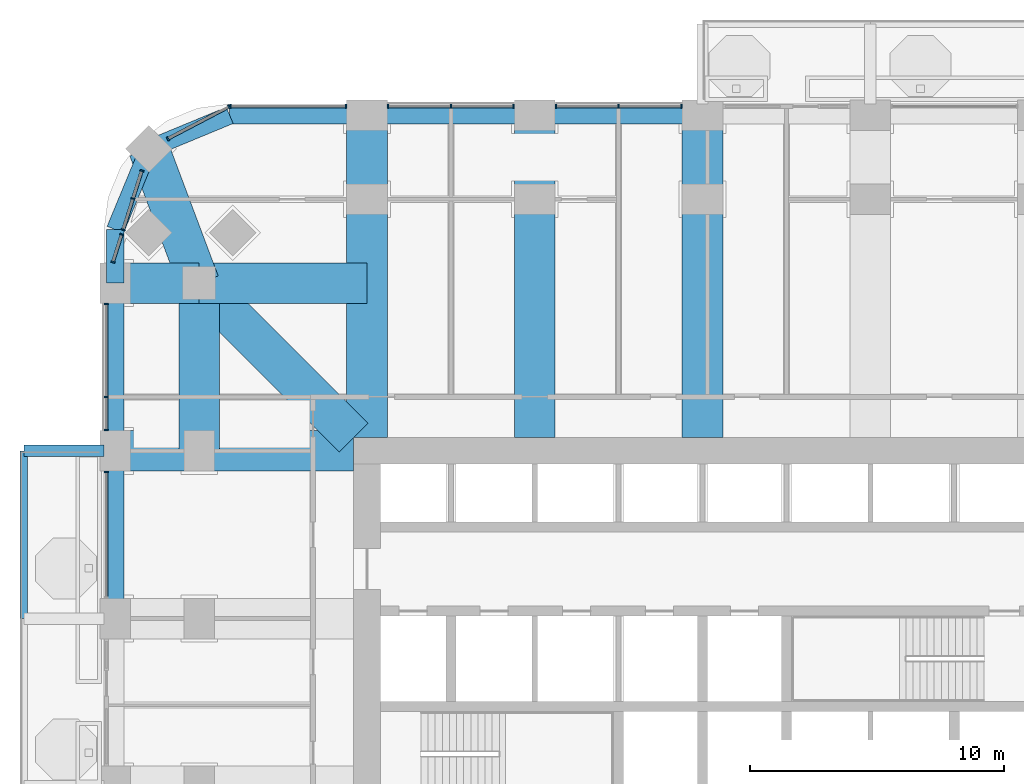
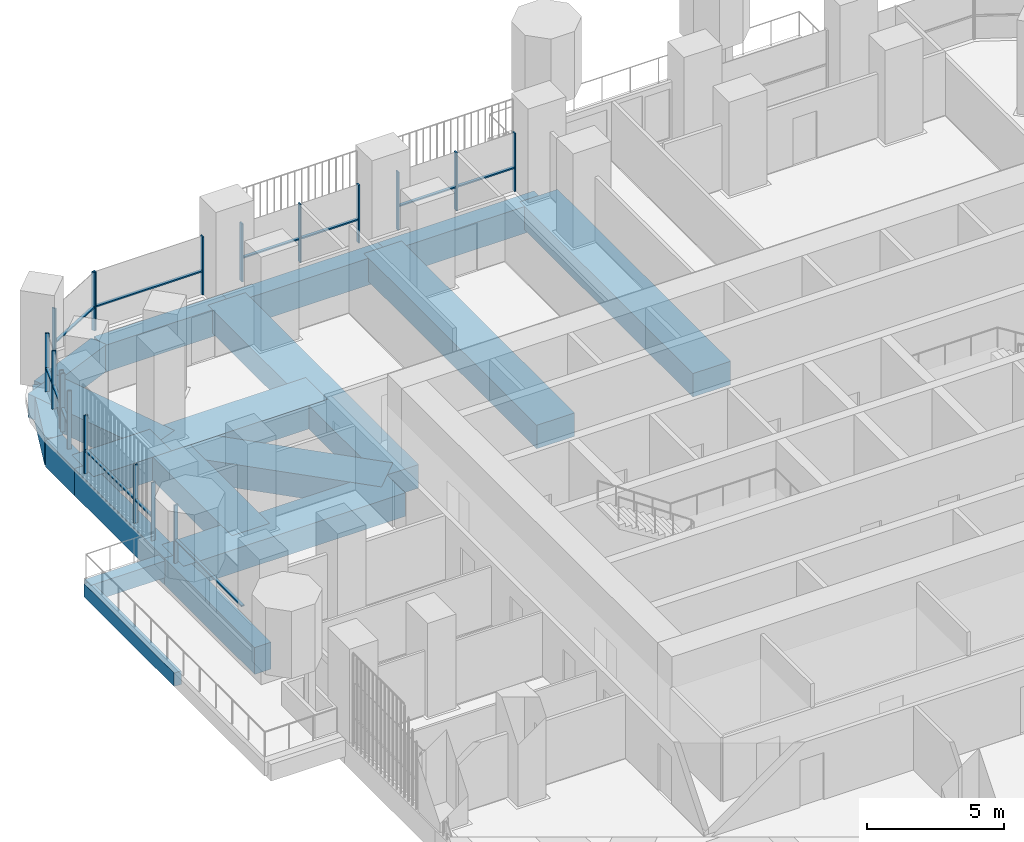
# One storey, part 6 of 22: 31 members, 19 beams, 8 elements without a shape of their own.
"""IFC4 building model written with IfcOpenShell, lengths in metres."""

from ifc_helpers import new_model, si_unit, direction, frame, origin, origin_2d, place, context, subcontext, project, spatial, rectangle, extrude, material, material_profile, profile_set, type_object, element, aggregate, save


model = new_model("IFC4")

# Units and contexts
model_context = context("Model", 3, precision=1e-05, world=origin(), true_north=direction((0.0, 1.0)))
body_context = subcontext(model_context, "Body", "Model", "MODEL_VIEW")
ifc_project = project(units=[si_unit("LENGTHUNIT", "METRE"), si_unit("AREAUNIT", "SQUARE_METRE"), si_unit("VOLUMEUNIT", "CUBIC_METRE"), si_unit("PLANEANGLEUNIT", "RADIAN"), si_unit("MASSUNIT", "GRAM", prefix="KILO")], contexts=[model_context])

# Site, building, storey
site_placement = place(None, origin())
site = spatial("IfcSite", under=ifc_project, at=site_placement, CompositionType="ELEMENT")
building_placement = place(site_placement, origin())
building = spatial("IfcBuilding", under=site, at=building_placement, Name="Cobogo Forest Laboratory Tower", CompositionType="ELEMENT")
storey_placement = place(building_placement, frame((0.0, 0.0, 136.800048828125)))
storey = spatial("IfcBuildingStorey", under=building, at=storey_placement, Name="L31", CompositionType="ELEMENT", Elevation=136.800048828125)

# Beams
ifc_material_1 = material(Name="Concrete HA-40 (C40/50)", Category="concrete")
ifc_material_profile_1 = material_profile(ifc_material_1, rectangle(XDim=0.449951171875, YDim=0.75, at=origin_2d()), Name="RC 450x750")
ifc_profile_set_1 = profile_set([ifc_material_profile_1], Name="Concrete HA-40 (C40/50)")
beam_type_1 = type_object("IfcBeamType", Name="Balcony cantilever beam 450x750", PredefinedType="BEAM", material=ifc_profile_set_1)
beam_1_placement = place(storey_placement, frame((2.85009765625, 33.0, -0.625), z_axis=(-1.0, 0.0, 0.0), x_axis=(0.0, -1.0, 0.0)))
element("IfcBeam", 1, at=beam_1_placement, inside=storey, type_object=beam_type_1, Name="CB1 BAL-W1-C3 L31", PredefinedType="BEAM", context=body_context, shape_type="SweptSolid", body=[
    extrude(rectangle(XDim=0.449951171875, YDim=0.75, at=origin_2d()), origin(), (0.0, 0.0, 1.0), 3.150146484375),
])
ifc_material_profile_2 = material_profile(ifc_material_1, rectangle(XDim=0.300048828125, YDim=0.60009765625, at=origin_2d()), Name="RC 300x600")
ifc_profile_set_2 = profile_set([ifc_material_profile_2], Name="Concrete HA-40 (C40/50)")
beam_type_2 = type_object("IfcBeamType", Name="Balcony edge beam 300x600", PredefinedType="BEAM", material=ifc_profile_set_2)
beam_2_placement = place(storey_placement, frame((-0.300048828125, 26.39990234375, -0.550048828125), z_axis=(0.0, 1.0, 0.0), x_axis=(-1.0, 0.0, 0.0)))
element("IfcBeam", 2, at=beam_2_placement, inside=storey, type_object=beam_type_2, Name="BB1 BAL-W1-T2 L31", PredefinedType="BEAM", context=body_context, shape_type="SweptSolid", body=[
    extrude(rectangle(XDim=0.300048828125, YDim=0.60009765625, at=origin_2d()), origin(), (0.0, 0.0, 1.0), 6.60009765625),
])
ifc_material_2 = material(Name="Concrete HA-50 (C50/60)", Category="concrete")
ifc_material_profile_3 = material_profile(ifc_material_2, rectangle(XDim=1.60009765625, YDim=1.050048828125, at=origin_2d()), Name="RC 1600x1050")
ifc_profile_set_3 = profile_set([ifc_material_profile_3], Name="Concrete HA-50 (C50/60)")
beam_type_3 = type_object("IfcBeamType", Name="Laboratory floor wide beam 1600x1050", PredefinedType="BEAM", material=ifc_profile_set_3)
for number, where, z_axis, x_axis, name in (
    (3, (13.199951171875, 33.52490234375, -0.824951171875), (0.0, 1.0, 0.0), (-1.0, 0.0, 0.0), "RB8 R-3-N L31"),
    (4, (19.800048828125, 33.52490234375, -0.824951171875), (0.0, 1.0, 0.0), (-1.0, 0.0, 0.0), "RB8 R-4-N L31"),
    (5, (26.39990234375, 33.52490234375, -0.824951171875), (0.0, 1.0, 0.0), (-1.0, 0.0, 0.0), "RB8 R-5-N L31"),
):
    element("IfcBeam", number, at=place(storey_placement, frame(where, z_axis=z_axis, x_axis=x_axis)), inside=storey, type_object=beam_type_3, Name=name, PredefinedType="BEAM", context=body_context, shape_type="SweptSolid", body=[
        extrude(rectangle(XDim=1.60009765625, YDim=1.050048828125, at=origin_2d()), origin(), (0.0, 0.0, 1.0), 12.675048828125),
    ])
beam_3_placement = place(storey_placement, frame((12.675048828125, 33.0, -0.824951171875), z_axis=(-1.0, 0.0, 0.0), x_axis=(0.0, -1.0, 0.0)))
element("IfcBeam", 6, at=beam_3_placement, inside=storey, type_object=beam_type_3, Name="RB8 R-F-W L31", PredefinedType="BEAM", context=body_context, shape_type="SweptSolid", body=[
    extrude(rectangle(XDim=1.60009765625, YDim=1.050048828125, at=origin_2d()), origin(), (0.0, 0.0, 1.0), 9.375),
])
beam_4_placement = place(storey_placement, frame((6.60009765625, 39.60009765625, -0.824951171875), z_axis=(0.0, -1.0, 0.0), x_axis=(1.0, 0.0, 0.0)))
element("IfcBeam", 7, at=beam_4_placement, inside=storey, type_object=beam_type_3, Name="RB8 G-NW-XC L31", PredefinedType="BEAM", context=body_context, shape_type="SweptSolid", body=[
    extrude(rectangle(XDim=1.60009765625, YDim=1.050048828125, at=origin_2d()), origin(), (0.0, 0.0, 1.0), 6.60009765625),
])
beam_5_placement = place(storey_placement, frame((3.300048828125, 39.60009765625, -0.824951171875), z_axis=(1.0, 0.0, 0.0), x_axis=(0.0, 1.0, 0.0)))
element("IfcBeam", 8, at=beam_5_placement, inside=storey, type_object=beam_type_3, Name="RB8 G-NW-YF L31", PredefinedType="BEAM", context=body_context, shape_type="SweptSolid", body=[
    extrude(rectangle(XDim=1.60009765625, YDim=1.050048828125, at=origin_2d()), origin(), (0.0, 0.0, 1.0), 3.300048828125),
])
beam_6_placement = place(storey_placement, frame((6.60009765625, 39.60009765625, -0.824951171875), z_axis=(1.0, 0.0, 0.0), x_axis=(0.0, 1.0, 0.0)))
element("IfcBeam", 9, at=beam_6_placement, inside=storey, type_object=beam_type_3, Name="RB8 G-NW-YC L31", PredefinedType="BEAM", context=body_context, shape_type="SweptSolid", body=[
    extrude(rectangle(XDim=1.60009765625, YDim=1.050048828125, at=origin_2d()), origin(), (0.0, 0.0, 1.0), 6.599853515625),
])
beam_7_placement = place(storey_placement, frame((4.617919921875, 44.882080078125, -0.824951171875), z_axis=(0.351346325373, -0.936245565889, 0.0), x_axis=(0.936245565889, 0.351346325373, 0.0)))
element("IfcBeam", 10, at=beam_7_placement, inside=storey, type_object=beam_type_3, Name="RB8 G-NW-D1 L31", PredefinedType="BEAM", context=body_context, shape_type="SweptSolid", body=[
    extrude(rectangle(XDim=1.60009765625, YDim=1.050048828125, at=origin_2d()), origin(), (0.0, 0.0, 1.0), 5.6416015625),
])
beam_8_placement = place(storey_placement, frame((6.60009765625, 39.60009765625, -0.824951171875), z_axis=(0.707092572697, -0.70712098939, 0.0), x_axis=(0.70712098939, 0.707092572697, 0.0)))
element("IfcBeam", 11, at=beam_8_placement, inside=storey, type_object=beam_type_3, Name="RB8 G-NW-D2 L31", PredefinedType="BEAM", context=body_context, shape_type="SweptSolid", body=[
    extrude(rectangle(XDim=1.60009765625, YDim=1.050048828125, at=origin_2d()), origin(), (0.0, 0.0, 1.0), 8.591552734375),
])

# Curtain wall, members
ifc_material_3 = material(Name="Aluminium curtain wall", Category="aluminium")
curtain_wall_type = type_object("IfcCurtainWallType", Name="CW-1 unitised curtain wall, clear glazing, laboratory floors zones A and B", PredefinedType="USERDEFINED", material=ifc_material_3)
curtain_wall_1_placement = place(storey_placement, origin())
curtain_wall_1 = element("IfcCurtainWall", 12, at=curtain_wall_1_placement, inside=storey, type_object=curtain_wall_type, Name="Curtain wall 21 L31", ObjectType="UNITISED CURTAIN WALL", PredefinedType="USERDEFINED")
ifc_material_4 = material(Name="Aluminium mullion", Category="aluminium")
ifc_material_profile_4 = material_profile(ifc_material_4, rectangle(XDim=0.06005859375, YDim=0.159912109375, at=origin_2d()), Name="AL 60x160")
ifc_profile_set_4 = profile_set([ifc_material_profile_4], Name="Aluminium mullion")
member_type_1 = type_object("IfcMemberType", Name="MU-1 aluminium mullion 60x160", PredefinedType="MULLION", material=ifc_profile_set_4)
member_1_placement = place(storey_placement, frame((25.570068359375, 46.550048828125, 0.0), z_axis=(0.0, 0.0, 1.0), x_axis=(-1.0, 0.0, 0.0)))
member_1 = element("IfcMember", 13, at=member_1_placement, type_object=member_type_1, Name="CW-1 mullion 1", PredefinedType="MULLION", context=body_context, shape_type="SweptSolid", body=[
    extrude(rectangle(XDim=0.06005859375, YDim=0.159912109375, at=origin_2d()), origin(), (0.0, 0.0, 1.0), 2.599853515625),
])
member_2_placement = place(storey_placement, frame((23.10009765625, 46.550048828125, 0.0), z_axis=(0.0, 0.0, 1.0), x_axis=(-1.0, 0.0, 0.0)))
member_2 = element("IfcMember", 14, at=member_2_placement, type_object=member_type_1, Name="CW-1 mullion 2", PredefinedType="MULLION", context=body_context, shape_type="SweptSolid", body=[
    extrude(rectangle(XDim=0.06005859375, YDim=0.159912109375, at=origin_2d()), origin(), (0.0, 0.0, 1.0), 2.599853515625),
])
member_3_placement = place(storey_placement, frame((20.6298828125, 46.550048828125, 0.0), z_axis=(0.0, 0.0, 1.0), x_axis=(-1.0, 0.0, 0.0)))
member_3 = element("IfcMember", 15, at=member_3_placement, type_object=member_type_1, Name="CW-1 mullion 3", PredefinedType="MULLION", context=body_context, shape_type="SweptSolid", body=[
    extrude(rectangle(XDim=0.06005859375, YDim=0.159912109375, at=origin_2d()), origin(), (0.0, 0.0, 1.0), 2.599853515625),
])

curtain_wall_2_placement = place(storey_placement, origin())
curtain_wall_2 = element("IfcCurtainWall", 16, at=curtain_wall_2_placement, inside=storey, type_object=curtain_wall_type, Name="Curtain wall 22 L31", ObjectType="UNITISED CURTAIN WALL", PredefinedType="USERDEFINED")
member_4_placement = place(storey_placement, frame((18.969970703125, 46.550048828125, 0.0), z_axis=(0.0, 0.0, 1.0), x_axis=(-1.0, 0.0, 0.0)))
member_4 = element("IfcMember", 17, at=member_4_placement, type_object=member_type_1, Name="CW-1 mullion 1", PredefinedType="MULLION", context=body_context, shape_type="SweptSolid", body=[
    extrude(rectangle(XDim=0.06005859375, YDim=0.159912109375, at=origin_2d()), origin(), (0.0, 0.0, 1.0), 2.599853515625),
])
member_5_placement = place(storey_placement, frame((16.5, 46.550048828125, 0.0), z_axis=(0.0, 0.0, 1.0), x_axis=(-1.0, 0.0, 0.0)))
member_5 = element("IfcMember", 18, at=member_5_placement, type_object=member_type_1, Name="CW-1 mullion 2", PredefinedType="MULLION", context=body_context, shape_type="SweptSolid", body=[
    extrude(rectangle(XDim=0.06005859375, YDim=0.159912109375, at=origin_2d()), origin(), (0.0, 0.0, 1.0), 2.599853515625),
])
member_6_placement = place(storey_placement, frame((14.030029296875, 46.550048828125, 0.0), z_axis=(0.0, 0.0, 1.0), x_axis=(-1.0, 0.0, 0.0)))
member_6 = element("IfcMember", 19, at=member_6_placement, type_object=member_type_1, Name="CW-1 mullion 3", PredefinedType="MULLION", context=body_context, shape_type="SweptSolid", body=[
    extrude(rectangle(XDim=0.06005859375, YDim=0.159912109375, at=origin_2d()), origin(), (0.0, 0.0, 1.0), 2.599853515625),
])

curtain_wall_3_placement = place(storey_placement, origin())
curtain_wall_3 = element("IfcCurtainWall", 20, at=curtain_wall_3_placement, inside=storey, type_object=curtain_wall_type, Name="Curtain wall 23 L31", ObjectType="UNITISED CURTAIN WALL", PredefinedType="USERDEFINED")
member_7_placement = place(storey_placement, frame((12.3701171875, 46.550048828125, 0.0), z_axis=(0.0, 0.0, 1.0), x_axis=(-1.0, 0.0, 0.0)))
member_7 = element("IfcMember", 21, at=member_7_placement, type_object=member_type_1, Name="CW-1 mullion 1", PredefinedType="MULLION", context=body_context, shape_type="SweptSolid", body=[
    extrude(rectangle(XDim=0.06005859375, YDim=0.159912109375, at=origin_2d()), origin(), (0.0, 0.0, 1.0), 2.599853515625),
])
member_8_placement = place(storey_placement, frame((7.830078125, 46.550048828125, 0.0), z_axis=(0.0, 0.0, 1.0), x_axis=(-1.0, 0.0, 0.0)))
member_8 = element("IfcMember", 22, at=member_8_placement, type_object=member_type_1, Name="CW-1 mullion 2", PredefinedType="MULLION", context=body_context, shape_type="SweptSolid", body=[
    extrude(rectangle(XDim=0.06005859375, YDim=0.159912109375, at=origin_2d()), origin(), (0.0, 0.0, 1.0), 2.599853515625),
])

curtain_wall_4_placement = place(storey_placement, origin())
curtain_wall_4 = element("IfcCurtainWall", 23, at=curtain_wall_4_placement, inside=storey, type_object=curtain_wall_type, Name="Curtain wall 24 L31", ObjectType="UNITISED CURTAIN WALL", PredefinedType="USERDEFINED")
member_9_placement = place(storey_placement, frame((7.7734375, 46.5361328125, 0.0), z_axis=(0.0, 0.0, 1.0), x_axis=(-0.885686547075, -0.464283685186, 0.0)))
member_9 = element("IfcMember", 24, at=member_9_placement, type_object=member_type_1, Name="CW-1 mullion 1", PredefinedType="MULLION", context=body_context, shape_type="SweptSolid", body=[
    extrude(rectangle(XDim=0.06005859375, YDim=0.159912109375, at=origin_2d()), origin(), (0.0, 0.0, 1.0), 2.599853515625),
])
member_10_placement = place(storey_placement, frame((5.368408203125, 45.275390625, 0.0), z_axis=(0.0, 0.0, 1.0), x_axis=(-0.885686547075, -0.464283685186, 0.0)))
member_10 = element("IfcMember", 25, at=member_10_placement, type_object=member_type_1, Name="CW-1 mullion 2", PredefinedType="MULLION", context=body_context, shape_type="SweptSolid", body=[
    extrude(rectangle(XDim=0.06005859375, YDim=0.159912109375, at=origin_2d()), origin(), (0.0, 0.0, 1.0), 2.599853515625),
])

curtain_wall_5_placement = place(storey_placement, origin())
curtain_wall_5 = element("IfcCurtainWall", 26, at=curtain_wall_5_placement, inside=storey, type_object=curtain_wall_type, Name="Curtain wall 25 L31", ObjectType="UNITISED CURTAIN WALL", PredefinedType="USERDEFINED")
member_11_placement = place(storey_placement, frame((4.34423828125, 44.01513671875, 0.0), z_axis=(0.0, 0.0, 1.0), x_axis=(-0.301135291996, -0.953581425949, 0.0)))
member_11 = element("IfcMember", 27, at=member_11_placement, type_object=member_type_1, Name="CW-1 mullion 1", PredefinedType="MULLION", context=body_context, shape_type="SweptSolid", body=[
    extrude(rectangle(XDim=0.06005859375, YDim=0.159912109375, at=origin_2d()), origin(), (0.0, 0.0, 1.0), 2.599853515625),
])
member_12_placement = place(storey_placement, frame((3.999755859375, 42.924072265625, 0.0), z_axis=(0.0, 0.0, 1.0), x_axis=(-0.301135291996, -0.953581425949, 0.0)))
member_12 = element("IfcMember", 28, at=member_12_placement, type_object=member_type_1, Name="CW-1 mullion 2", PredefinedType="MULLION", context=body_context, shape_type="SweptSolid", body=[
    extrude(rectangle(XDim=0.06005859375, YDim=0.159912109375, at=origin_2d()), origin(), (0.0, 0.0, 1.0), 2.599853515625),
])
member_13_placement = place(storey_placement, frame((3.613037109375, 41.69970703125, 0.0), z_axis=(0.0, 0.0, 1.0), x_axis=(-0.301135291996, -0.953581425949, 0.0)))
member_13 = element("IfcMember", 29, at=member_13_placement, type_object=member_type_1, Name="CW-1 mullion 3", PredefinedType="MULLION", context=body_context, shape_type="SweptSolid", body=[
    extrude(rectangle(XDim=0.06005859375, YDim=0.159912109375, at=origin_2d()), origin(), (0.0, 0.0, 1.0), 2.599853515625),
])

curtain_wall_6_placement = place(storey_placement, origin())
curtain_wall_6 = element("IfcCurtainWall", 30, at=curtain_wall_6_placement, inside=storey, type_object=curtain_wall_type, Name="Curtain wall 26 L31", ObjectType="UNITISED CURTAIN WALL", PredefinedType="USERDEFINED")
member_14_placement = place(storey_placement, frame((3.55224609375, 41.507080078125, 0.0), z_axis=(0.0, 0.0, 1.0), x_axis=(-0.301135667865, -0.953581307252, 0.0)))
member_14 = element("IfcMember", 31, at=member_14_placement, type_object=member_type_1, Name="CW-1 mullion 1", PredefinedType="MULLION", context=body_context, shape_type="SweptSolid", body=[
    extrude(rectangle(XDim=0.06005859375, YDim=0.159912109375, at=origin_2d()), origin(), (0.0, 0.0, 1.0), 2.599853515625),
])
member_15_placement = place(storey_placement, frame((3.211669921875, 40.4287109375, 0.0), z_axis=(0.0, 0.0, 1.0), x_axis=(-0.301135667865, -0.953581307252, 0.0)))
member_15 = element("IfcMember", 32, at=member_15_placement, type_object=member_type_1, Name="CW-1 mullion 2", PredefinedType="MULLION", context=body_context, shape_type="SweptSolid", body=[
    extrude(rectangle(XDim=0.06005859375, YDim=0.159912109375, at=origin_2d()), origin(), (0.0, 0.0, 1.0), 2.599853515625),
])

curtain_wall_7_placement = place(storey_placement, origin())
curtain_wall_7 = element("IfcCurtainWall", 33, at=curtain_wall_7_placement, inside=storey, type_object=curtain_wall_type, Name="Curtain wall 27 L31", ObjectType="UNITISED CURTAIN WALL", PredefinedType="USERDEFINED")
member_16_placement = place(storey_placement, frame((2.949951171875, 38.77001953125, 0.0), z_axis=(0.0, 0.0, 1.0), x_axis=(0.0, -1.0, 0.0)))
member_16 = element("IfcMember", 34, at=member_16_placement, type_object=member_type_1, Name="CW-1 mullion 1", PredefinedType="MULLION", context=body_context, shape_type="SweptSolid", body=[
    extrude(rectangle(XDim=0.06005859375, YDim=0.159912109375, at=origin_2d()), origin(), (0.0, 0.0, 1.0), 2.599853515625),
])
member_17_placement = place(storey_placement, frame((2.949951171875, 35.125, 0.0), z_axis=(0.0, 0.0, 1.0), x_axis=(0.0, -1.0, 0.0)))
member_17 = element("IfcMember", 35, at=member_17_placement, type_object=member_type_1, Name="CW-1 mullion 2", PredefinedType="MULLION", context=body_context, shape_type="SweptSolid", body=[
    extrude(rectangle(XDim=0.06005859375, YDim=0.159912109375, at=origin_2d()), origin(), (0.0, 0.0, 1.0), 2.599853515625),
])
member_18_placement = place(storey_placement, frame((2.949951171875, 33.830078125, 0.0), z_axis=(0.0, 0.0, 1.0), x_axis=(0.0, -1.0, 0.0)))
member_18 = element("IfcMember", 36, at=member_18_placement, type_object=member_type_1, Name="CW-1 mullion 3", PredefinedType="MULLION", context=body_context, shape_type="SweptSolid", body=[
    extrude(rectangle(XDim=0.06005859375, YDim=0.159912109375, at=origin_2d()), origin(), (0.0, 0.0, 1.0), 2.599853515625),
])

# Curtain wall, member
curtain_wall_8_placement = place(storey_placement, origin())
curtain_wall_8 = element("IfcCurtainWall", 37, at=curtain_wall_8_placement, inside=storey, type_object=curtain_wall_type, Name="Curtain wall 28 L31", ObjectType="UNITISED CURTAIN WALL", PredefinedType="USERDEFINED")
member_19_placement = place(storey_placement, frame((2.949951171875, 32.169921875, 0.0), z_axis=(0.0, 0.0, 1.0), x_axis=(0.0, -1.0, 0.0)))
member_19 = element("IfcMember", 38, at=member_19_placement, type_object=member_type_1, Name="CW-1 mullion 1", PredefinedType="MULLION", context=body_context, shape_type="SweptSolid", body=[
    extrude(rectangle(XDim=0.06005859375, YDim=0.159912109375, at=origin_2d()), origin(), (0.0, 0.0, 1.0), 2.599853515625),
])

# Beams
ifc_material_profile_5 = material_profile(ifc_material_1, rectangle(XDim=0.699951171875, YDim=1.199951171875, at=origin_2d()), Name="RC 700x1200")
ifc_profile_set_5 = profile_set([ifc_material_profile_5], Name="Concrete HA-40 (C40/50)")
beam_type_4 = type_object("IfcBeamType", Name="Perimeter edge beam 700x1200", PredefinedType="BEAM", material=ifc_profile_set_5)
beam_9_placement = place(storey_placement, frame((13.199951171875, 46.199951171875, -0.900146484375), z_axis=(1.0, 0.0, 0.0), x_axis=(0.0, 1.0, 0.0)))
element("IfcBeam", 39, at=beam_9_placement, inside=storey, type_object=beam_type_4, Name="EB1 E-N1 L31", PredefinedType="BEAM", context=body_context, shape_type="SweptSolid", body=[
    extrude(rectangle(XDim=0.699951171875, YDim=1.199951171875, at=origin_2d()), origin(), (0.0, 0.0, 1.0), 6.60009765625),
])
beam_10_placement = place(storey_placement, frame((19.800048828125, 46.199951171875, -0.900146484375), z_axis=(1.0, 0.0, 0.0), x_axis=(0.0, 1.0, 0.0)))
element("IfcBeam", 40, at=beam_10_placement, inside=storey, type_object=beam_type_4, Name="EB1 E-N2 L31", PredefinedType="BEAM", context=body_context, shape_type="SweptSolid", body=[
    extrude(rectangle(XDim=0.699951171875, YDim=1.199951171875, at=origin_2d()), origin(), (0.0, 0.0, 1.0), 6.599853515625),
])
for number, where, z_axis, x_axis, name in (
    (41, (3.300048828125, 26.39990234375, -0.900146484375), (0.0, 1.0, 0.0), (-1.0, 0.0, 0.0), "EB1 E-W4 L31"),
    (42, (3.300048828125, 33.0, -0.900146484375), (0.0, 1.0, 0.0), (-1.0, 0.0, 0.0), "EB1 E-W5 L31"),
):
    element("IfcBeam", number, at=place(storey_placement, frame(where, z_axis=z_axis, x_axis=x_axis)), inside=storey, type_object=beam_type_4, Name=name, PredefinedType="BEAM", context=body_context, shape_type="SweptSolid", body=[
        extrude(rectangle(XDim=0.699951171875, YDim=1.199951171875, at=origin_2d()), origin(), (0.0, 0.0, 1.0), 6.60009765625),
    ])
beam_11_placement = place(storey_placement, frame((13.199951171875, 46.199951171875, -0.900146484375), z_axis=(-1.0, 0.0, 0.0), x_axis=(0.0, -1.0, 0.0)))
element("IfcBeam", 43, at=beam_11_placement, inside=storey, type_object=beam_type_4, Name="EB1 E-NWN1 L31", PredefinedType="BEAM", context=body_context, shape_type="SweptSolid", body=[
    extrude(rectangle(XDim=0.699951171875, YDim=1.199951171875, at=origin_2d()), origin(), (0.0, 0.0, 1.0), 5.39990234375),
])
beam_12_placement = place(storey_placement, frame((7.800048828125, 46.199951171875, -0.900146484375), z_axis=(-0.923901072997, -0.382631424892, 0.0), x_axis=(0.382631424892, -0.923901072997, 0.0)))
element("IfcBeam", 44, at=beam_12_placement, inside=storey, type_object=beam_type_4, Name="EB1 E-NWN2 L31", PredefinedType="BEAM", context=body_context, shape_type="SweptSolid", body=[
    extrude(rectangle(XDim=0.699951171875, YDim=1.199951171875, at=origin_2d()), origin(), (0.0, 0.0, 1.0), 3.4443359375),
])
beam_13_placement = place(storey_placement, frame((3.300048828125, 39.60009765625, -0.900146484375), z_axis=(0.0, 1.0, 0.0), x_axis=(-1.0, 0.0, 0.0)))
element("IfcBeam", 45, at=beam_13_placement, inside=storey, type_object=beam_type_4, Name="EB1 E-NWW1 L31", PredefinedType="BEAM", context=body_context, shape_type="SweptSolid", body=[
    extrude(rectangle(XDim=0.699951171875, YDim=1.199951171875, at=origin_2d()), origin(), (0.0, 0.0, 1.0), 2.099853515625),
])
beam_14_placement = place(storey_placement, frame((3.300048828125, 41.699951171875, -0.900146484375), z_axis=(0.382631424892, 0.923901072997, 0.0), x_axis=(-0.923901072997, 0.382631424892, 0.0)))
element("IfcBeam", 46, at=beam_14_placement, inside=storey, type_object=beam_type_4, Name="EB1 E-NWW2 L31", PredefinedType="BEAM", context=body_context, shape_type="SweptSolid", body=[
    extrude(rectangle(XDim=0.699951171875, YDim=1.199951171875, at=origin_2d()), origin(), (0.0, 0.0, 1.0), 3.4443359375),
])

# Member
ifc_material_5 = material(Name="Aluminium transom", Category="aluminium")
ifc_material_profile_6 = material_profile(ifc_material_5, rectangle(XDim=0.1201171875, YDim=0.06005859375, at=origin_2d()), Name="AL 60x120")
ifc_profile_set_6 = profile_set([ifc_material_profile_6], Name="Aluminium transom")
member_type_2 = type_object("IfcMemberType", Name="TR-1 aluminium transom 60x120", PredefinedType="USERDEFINED", material=ifc_profile_set_6)
member_20_placement = place(storey_placement, frame((25.5400390625, 46.550048828125, 1.050048828125), z_axis=(-1.0, 0.0, 0.0), x_axis=(0.0, -1.0, 0.0)))
member_20 = element("IfcMember", 47, at=member_20_placement, type_object=member_type_2, Name="CW-1 transom 1.1", ObjectType="TRANSOM", PredefinedType="USERDEFINED", context=body_context, shape_type="SweptSolid", body=[
    extrude(rectangle(XDim=0.1201171875, YDim=0.06005859375, at=origin_2d()), origin(), (0.0, 0.0, 1.0), 2.41015625),
])

member_21_placement = place(storey_placement, frame((23.070068359375, 46.550048828125, 1.050048828125), z_axis=(-1.0, 0.0, 0.0), x_axis=(0.0, -1.0, 0.0)))
member_21 = element("IfcMember", 48, at=member_21_placement, type_object=member_type_2, Name="CW-1 transom 2.1", ObjectType="TRANSOM", PredefinedType="USERDEFINED", context=body_context, shape_type="SweptSolid", body=[
    extrude(rectangle(XDim=0.1201171875, YDim=0.06005859375, at=origin_2d()), origin(), (0.0, 0.0, 1.0), 2.41015625),
])

aggregate(curtain_wall_1, [member_1, member_2, member_3, member_20, member_21])

member_22_placement = place(storey_placement, frame((18.93994140625, 46.550048828125, 1.050048828125), z_axis=(-1.0, 0.0, 0.0), x_axis=(0.0, -1.0, 0.0)))
member_22 = element("IfcMember", 49, at=member_22_placement, type_object=member_type_2, Name="CW-1 transom 1.1", ObjectType="TRANSOM", PredefinedType="USERDEFINED", context=body_context, shape_type="SweptSolid", body=[
    extrude(rectangle(XDim=0.1201171875, YDim=0.06005859375, at=origin_2d()), origin(), (0.0, 0.0, 1.0), 2.409912109375),
])

member_23_placement = place(storey_placement, frame((16.469970703125, 46.550048828125, 1.050048828125), z_axis=(-1.0, 0.0, 0.0), x_axis=(0.0, -1.0, 0.0)))
member_23 = element("IfcMember", 50, at=member_23_placement, type_object=member_type_2, Name="CW-1 transom 2.1", ObjectType="TRANSOM", PredefinedType="USERDEFINED", context=body_context, shape_type="SweptSolid", body=[
    extrude(rectangle(XDim=0.1201171875, YDim=0.06005859375, at=origin_2d()), origin(), (0.0, 0.0, 1.0), 2.409912109375),
])

aggregate(curtain_wall_2, [member_4, member_5, member_6, member_22, member_23])

member_24_placement = place(storey_placement, frame((12.340087890625, 46.550048828125, 1.050048828125), z_axis=(-1.0, 0.0, 0.0), x_axis=(0.0, -1.0, 0.0)))
member_24 = element("IfcMember", 51, at=member_24_placement, type_object=member_type_2, Name="CW-1 transom 1.1", ObjectType="TRANSOM", PredefinedType="USERDEFINED", context=body_context, shape_type="SweptSolid", body=[
    extrude(rectangle(XDim=0.1201171875, YDim=0.06005859375, at=origin_2d()), origin(), (0.0, 0.0, 1.0), 4.47998046875),
])

aggregate(curtain_wall_3, [member_7, member_8, member_24])

member_25_placement = place(storey_placement, frame((7.746826171875, 46.522216796875, 1.050048828125), z_axis=(-0.885694740493, -0.464268054753, 0.0), x_axis=(0.464268054753, -0.885694740493, 0.0)))
member_25 = element("IfcMember", 52, at=member_25_placement, type_object=member_type_2, Name="CW-1 transom 1.1", ObjectType="TRANSOM", PredefinedType="USERDEFINED", context=body_context, shape_type="SweptSolid", body=[
    extrude(rectangle(XDim=0.1201171875, YDim=0.06005859375, at=origin_2d()), origin(), (0.0, 0.0, 1.0), 2.655517578125),
])

aggregate(curtain_wall_4, [member_9, member_10, member_25])

member_26_placement = place(storey_placement, frame((4.335205078125, 43.986328125, 1.050048828125), z_axis=(-0.301120589075, -0.953586068918, 0.0), x_axis=(0.953586068918, -0.301120589075, 0.0)))
member_26 = element("IfcMember", 53, at=member_26_placement, type_object=member_type_2, Name="CW-1 transom 1.1", ObjectType="TRANSOM", PredefinedType="USERDEFINED", context=body_context, shape_type="SweptSolid", body=[
    extrude(rectangle(XDim=0.1201171875, YDim=0.06005859375, at=origin_2d()), origin(), (0.0, 0.0, 1.0), 1.083984375),
])

member_27_placement = place(storey_placement, frame((3.99072265625, 42.8955078125, 1.050048828125), z_axis=(-0.301169549566, -0.953570606937, 0.0), x_axis=(0.953570606937, -0.301169549566, 0.0)))
member_27 = element("IfcMember", 54, at=member_27_placement, type_object=member_type_2, Name="CW-1 transom 2.1", ObjectType="TRANSOM", PredefinedType="USERDEFINED", context=body_context, shape_type="SweptSolid", body=[
    extrude(rectangle(XDim=0.1201171875, YDim=0.06005859375, at=origin_2d()), origin(), (0.0, 0.0, 1.0), 1.22412109375),
])

aggregate(curtain_wall_5, [member_11, member_12, member_13, member_26, member_27])

member_28_placement = place(storey_placement, frame((3.543212890625, 41.478515625, 1.050048828125), z_axis=(-0.3011422781, -0.953579219751, 0.0), x_axis=(0.953579219751, -0.3011422781, 0.0)))
member_28 = element("IfcMember", 55, at=member_28_placement, type_object=member_type_2, Name="CW-1 transom 1.1", ObjectType="TRANSOM", PredefinedType="USERDEFINED", context=body_context, shape_type="SweptSolid", body=[
    extrude(rectangle(XDim=0.1201171875, YDim=0.06005859375, at=origin_2d()), origin(), (0.0, 0.0, 1.0), 1.071044921875),
])

aggregate(curtain_wall_6, [member_14, member_15, member_28])

member_29_placement = place(storey_placement, frame((2.949951171875, 38.739990234375, 1.050048828125), z_axis=(0.0, -1.0, 0.0), x_axis=(1.0, 0.0, 0.0)))
member_29 = element("IfcMember", 56, at=member_29_placement, type_object=member_type_2, Name="CW-1 transom 1.1", ObjectType="TRANSOM", PredefinedType="USERDEFINED", context=body_context, shape_type="SweptSolid", body=[
    extrude(rectangle(XDim=0.1201171875, YDim=0.06005859375, at=origin_2d()), origin(), (0.0, 0.0, 1.0), 3.5849609375),
])

member_30_placement = place(storey_placement, frame((2.949951171875, 35.094970703125, 1.050048828125), z_axis=(0.0, -1.0, 0.0), x_axis=(1.0, 0.0, 0.0)))
member_30 = element("IfcMember", 57, at=member_30_placement, type_object=member_type_2, Name="CW-1 transom 2.1", ObjectType="TRANSOM", PredefinedType="USERDEFINED", context=body_context, shape_type="SweptSolid", body=[
    extrude(rectangle(XDim=0.1201171875, YDim=0.06005859375, at=origin_2d()), origin(), (0.0, 0.0, 1.0), 1.23486328125),
])

aggregate(curtain_wall_7, [member_16, member_17, member_18, member_29, member_30])

member_31_placement = place(storey_placement, frame((2.949951171875, 32.139892578125, 1.050048828125), z_axis=(0.0, -1.0, 0.0), x_axis=(1.0, 0.0, 0.0)))
member_31 = element("IfcMember", 58, at=member_31_placement, type_object=member_type_2, Name="CW-1 transom 1.1", ObjectType="TRANSOM", PredefinedType="USERDEFINED", context=body_context, shape_type="SweptSolid", body=[
    extrude(rectangle(XDim=0.1201171875, YDim=0.06005859375, at=origin_2d()), origin(), (0.0, 0.0, 1.0), 4.8798828125),
])

aggregate(curtain_wall_8, [member_19, member_31])

save(model, "model.ifc")
